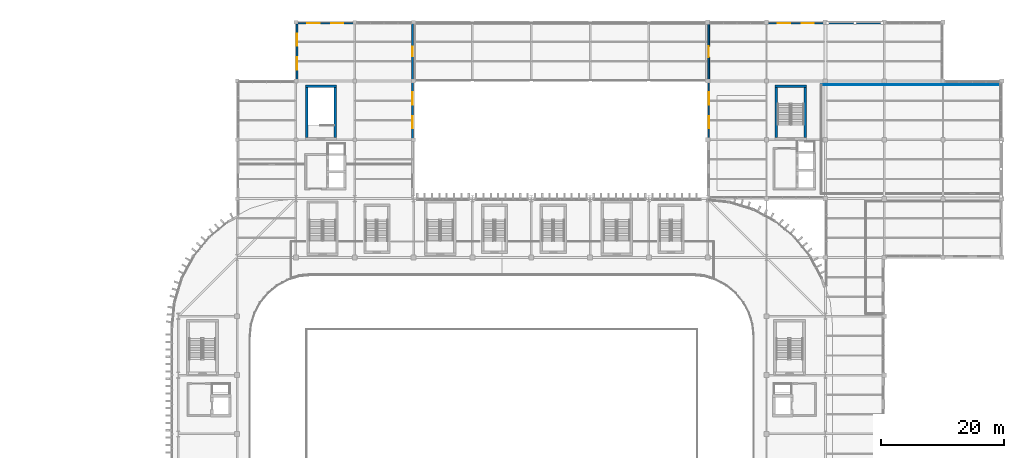
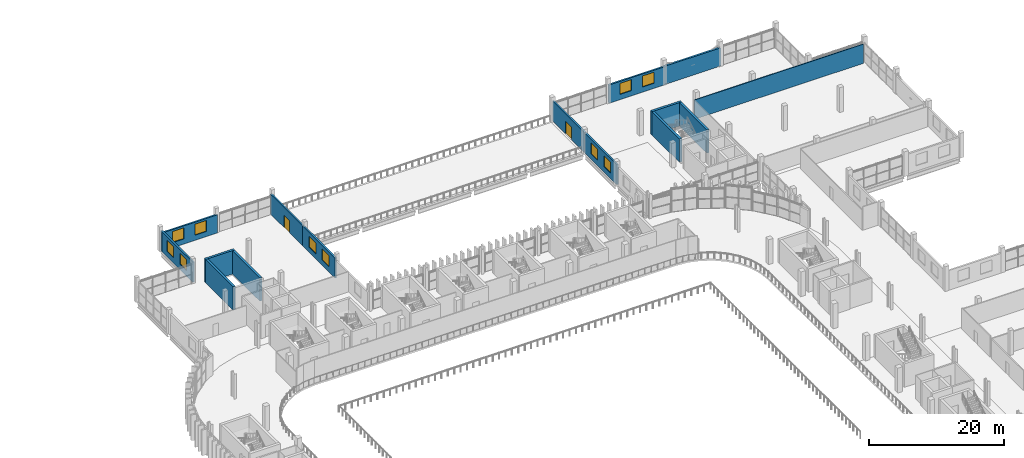
# One storey, part 53 of 75: 15 walls, 10 windows, 2 doors, 12 openings.
"""IFC4 building model written with IfcOpenShell, lengths in metres."""

import ifcopenshell
import ifcopenshell.guid

model = None  # the IFC model being written
_history = None  # IfcOwnerHistory: only IFC2X3 demands one
_inside = {}  # id of a spatial element -> (the spatial element, [elements in it])
_under = {}  # id of a project, library or spatial element -> (it, [spatial elements below it])
_declared = {}  # id of a project -> (the project, [libraries it declares])
_typed = {}  # id of a type object -> (the type object, [elements of that type])
_made_of = {}  # id of a material, layer set ... -> (it, [elements and type objects made of it])


def new_model(schema):
    """Start an empty IFC model of exactly this schema.

    Asked for "IFC4X3", IfcOpenShell would pick the latest addendum, in which some entities
    have other attributes; the version numbers below select the first issue.
    IFC2X3 requires an IfcOwnerHistory on every rooted entity: one is made here for all.
    """
    global model, _history
    if schema == "IFC4X3":
        model = ifcopenshell.file(schema_version=(4, 3, 0, 0))
    else:
        model = ifcopenshell.file(schema=schema)
    _inside.clear()
    _under.clear()
    _declared.clear()
    _typed.clear()
    _made_of.clear()
    _history = None
    if model.schema == "IFC2X3":
        org = make("IfcOrganization", Name="unknown")
        user = make(
            "IfcPersonAndOrganization",
            ThePerson=make("IfcPerson", FamilyName="unknown"),
            TheOrganization=org,
        )
        app = make(
            "IfcApplication",
            ApplicationDeveloper=org,
            Version="unknown",
            ApplicationFullName="unknown",
            ApplicationIdentifier="unknown",
        )
        _history = make(
            "IfcOwnerHistory",
            OwningUser=user,
            OwningApplication=app,
            ChangeAction="ADDED",
            CreationDate=0,
        )
    return model


def make(cls, **values):
    """One entity of the class cls with the attributes given. An attribute that is None is left unset."""
    return model.create_entity(
        cls, **{name: value for name, value in values.items() if value is not None}
    )


def rooted(cls, **values):
    """An entity with a GlobalId (a new one), such as an element, a storey or a relation."""
    return make(cls, GlobalId=ifcopenshell.guid.new(), OwnerHistory=_history, **values)


def si_unit(unit_type, name, prefix=None):
    """IfcSIUnit, for example si_unit("LENGTHUNIT", "METRE", prefix="MILLI")."""
    return make("IfcSIUnit", UnitType=unit_type, Prefix=prefix, Name=name)


def assignment(units):
    """IfcUnitAssignment: the units of a project."""
    return None if units is None else make("IfcUnitAssignment", Units=units)


def point(xyz):
    """IfcCartesianPoint."""
    return None if xyz is None else make("IfcCartesianPoint", Coordinates=xyz)


def direction(xyz):
    """IfcDirection."""
    return None if xyz is None else make("IfcDirection", DirectionRatios=xyz)


def frame(location, z_axis=None, x_axis=None):
    """IfcAxis2Placement3D, a coordinate frame: its origin and axes. An axis left out is left unset."""
    return make(
        "IfcAxis2Placement3D",
        Location=point(location),
        Axis=direction(z_axis),
        RefDirection=direction(x_axis),
    )


def frame_2d(location, x_axis=None):
    """IfcAxis2Placement2D, a coordinate frame in the plane: its origin and x axis."""
    return make(
        "IfcAxis2Placement2D", Location=point(location), RefDirection=direction(x_axis)
    )


def origin():
    """The frame at (0, 0, 0) with its axes left unset."""
    return frame((0.0, 0.0, 0.0))


def place(relative_to, where):
    """IfcLocalPlacement: puts the frame where relative to a parent placement (None: the world)."""
    return make(
        "IfcLocalPlacement", PlacementRelTo=relative_to, RelativePlacement=where
    )


def context(
    kind, dimensions, precision=None, world=None, true_north=None, identifier=None
):
    """IfcGeometricRepresentationContext, for example the 3D "Model" context."""
    return make(
        "IfcGeometricRepresentationContext",
        ContextIdentifier=identifier,
        ContextType=kind,
        CoordinateSpaceDimension=dimensions,
        Precision=precision,
        WorldCoordinateSystem=world,
        TrueNorth=true_north,
    )


def subcontext(parent, identifier, kind, view, scale=None):
    """IfcGeometricRepresentationSubContext, for example "Body" below "Model"."""
    return make(
        "IfcGeometricRepresentationSubContext",
        ContextIdentifier=identifier,
        ContextType=kind,
        ParentContext=parent,
        TargetScale=scale,
        TargetView=view,
    )


def project(units=None, contexts=None):
    """IfcProject with its units and contexts."""
    return rooted(
        "IfcProject",
        Name="project",
        RepresentationContexts=contexts,
        UnitsInContext=assignment(units),
    )


def spatial(cls, under=None, at=None, **own):
    """A site, building, storey or space (cls), placed at a placement, below another one or the project."""
    s = rooted(cls, ObjectPlacement=at, **own)
    if under is not None:
        _under.setdefault(under.id(), (under, []))[1].append(s)
    return s


def profile(cls, at=None, kind="AREA", **sizes):
    """A parametric profile (cls). Its sizes go by their IFC names, for example OverallWidth=200.0."""
    return make(cls, ProfileType=kind, Position=at, **sizes)


def rectangle(**sizes):
    """IfcRectangleProfileDef."""
    return profile("IfcRectangleProfileDef", **sizes)


def extrude(swept, where, along, depth):
    """IfcExtrudedAreaSolid: the profile swept, set in the frame where, extruded along a direction by depth."""
    return make(
        "IfcExtrudedAreaSolid",
        SweptArea=swept,
        Position=where,
        ExtrudedDirection=direction(along),
        Depth=depth,
    )


def shape(context_of_items, identifier, shape_type, items):
    """IfcShapeRepresentation: the items that make up one representation, for example the "Body"."""
    return make(
        "IfcShapeRepresentation",
        ContextOfItems=context_of_items,
        RepresentationIdentifier=identifier,
        RepresentationType=shape_type,
        Items=items,
    )


def material(Name=None, Category=None):
    """IfcMaterial."""
    return make("IfcMaterial", Name=Name, Category=Category)


def layer(
    of_material, thickness, ventilated=None, Name=None, Category=None, Priority=None
):
    """IfcMaterialLayer: one layer of a wall or slab, of a material (None: an air gap)."""
    return make(
        "IfcMaterialLayer",
        Material=of_material,
        LayerThickness=thickness,
        IsVentilated=ventilated,
        Name=Name,
        Category=Category,
        Priority=Priority,
    )


def layer_set(layers, Name=None):
    """IfcMaterialLayerSet."""
    return make("IfcMaterialLayerSet", MaterialLayers=layers, LayerSetName=Name)


def made_of(thing, what):
    """Note that an element or type object is made of a material, layer set ...; save() writes the relation."""
    if what is not None:
        _made_of.setdefault(what.id(), (what, []))[1].append(thing)
    return thing


def type_object(cls, material=None, **own):
    """A type object (cls), such as IfcWallType, which elements share."""
    return made_of(rooted(cls, **own), material)


def element(
    cls,
    number,
    at=None,
    inside=None,
    cuts=None,
    type_object=None,
    material=None,
    context=None,
    identifier="Body",
    shape_type=None,
    held_by="IfcProductDefinitionShape",
    body=None,
    shapes=None,
    **own,
):
    """One element of the class cls, such as IfcWall. Its Tag is "e" and its number.

    at: its placement. inside: the storey or other place that contains it. cuts: it is an
    opening in that element (IfcRelVoidsElement). A single representation is given by context,
    identifier, shape_type and body (its items); several are given by shapes. held_by: the class
    of the entity that holds the representations. save() writes the other relations.
    """
    e = rooted(cls, Tag="e%d" % number, ObjectPlacement=at, **own)
    if body is not None:
        shapes = [shape(context, identifier, shape_type, body)]
    if shapes is not None:
        e.Representation = make(held_by, Representations=shapes)
    if inside is not None:
        _inside.setdefault(inside.id(), (inside, []))[1].append(e)
    if cuts is not None:
        rooted(
            "IfcRelVoidsElement", RelatingBuildingElement=cuts, RelatedOpeningElement=e
        )
    if type_object is not None:
        _typed.setdefault(type_object.id(), (type_object, []))[1].append(e)
    return made_of(e, material)


def fill(opening, filler):
    """IfcRelFillsElement: the door or window that sits in an opening."""
    return rooted(
        "IfcRelFillsElement",
        RelatingOpeningElement=opening,
        RelatedBuildingElement=filler,
    )


def aggregate(whole, parts):
    """IfcRelAggregates: a whole, such as a stair, and the parts it consists of."""
    return rooted("IfcRelAggregates", RelatingObject=whole, RelatedObjects=parts)


def save(model, path):
    """Write the relations noted so far, then the file.

    IfcRelAggregates (storeys below a building ...), IfcRelContainedInSpatialStructure (elements
    in a storey), IfcRelDefinesByType, IfcRelAssociatesMaterial and IfcRelDeclares: one each for
    every whole, place, type object, material and project.
    """
    for whole, parts in _under.values():
        aggregate(whole, parts)
    for where, things in _inside.values():
        rooted(
            "IfcRelContainedInSpatialStructure",
            RelatedElements=things,
            RelatingStructure=where,
        )
    for kind, things in _typed.values():
        rooted("IfcRelDefinesByType", RelatedObjects=things, RelatingType=kind)
    for what, things in _made_of.values():
        rooted("IfcRelAssociatesMaterial", RelatedObjects=things, RelatingMaterial=what)
    for by, libraries in _declared.values():
        rooted("IfcRelDeclares", RelatingContext=by, RelatedDefinitions=libraries)
    model.write(path)


model = new_model("IFC4")

# Units and contexts
model_context = context("Model", 3, precision=1e-05, world=origin(), true_north=direction((0.0, 1.0)))
body_context = subcontext(model_context, "Body", "Model", "MODEL_VIEW")
ifc_project = project(units=[si_unit("LENGTHUNIT", "METRE"), si_unit("AREAUNIT", "SQUARE_METRE"), si_unit("VOLUMEUNIT", "CUBIC_METRE"), si_unit("PLANEANGLEUNIT", "RADIAN"), si_unit("MASSUNIT", "GRAM", prefix="KILO")], contexts=[model_context])

# Site, building, storey
site_placement = place(None, origin())
site = spatial("IfcSite", under=ifc_project, at=site_placement, CompositionType="ELEMENT")
building_placement = place(site_placement, origin())
building = spatial("IfcBuilding", under=site, at=building_placement, Name="Caelomonte Colonnade Arena", CompositionType="ELEMENT")
storey_placement = place(building_placement, frame((0.0, 0.0, 14.10009765625)))
storey = spatial("IfcBuildingStorey", under=building, at=storey_placement, Name="L03", CompositionType="ELEMENT", Elevation=14.10009765625)

# Wall, openings, windows
ifc_material_1 = material(Name="Precast concrete C40/50", Category="concrete")
ifc_layer_1 = layer(ifc_material_1, 0.2900390625)
ifc_layer_set_1 = layer_set([ifc_layer_1], Name="Precast concrete C40/50")
wall_type_1 = type_object("IfcWallType", Name="ENV-WL-EXT29", PredefinedType="SOLIDWALL", material=ifc_layer_set_1)
wall_1_placement = place(storey_placement, frame((163.199951171875, 143.820068359375, 0.0), z_axis=(0.0, 0.0, 1.0), x_axis=(-1.0, 0.0, 0.0)))
wall_1 = element("IfcWall", 1, at=wall_1_placement, inside=storey, type_object=wall_type_1, Name="L03 exterior wall EW-L03-0290", PredefinedType="SOLIDWALL", context=body_context, shape_type="SweptSolid", body=[
    extrude(rectangle(XDim=9.599853515625, YDim=0.2900390625, at=frame_2d((4.7998046875, 0.0))), origin(), (0.0, 0.0, 1.0), 3.312744140625),
])
opening_1_placement = place(wall_1_placement, frame((3.86669921875, 0.0, 0.949951171875), z_axis=(0.0, 0.0, 1.0), x_axis=(-1.0, 0.0, 0.0)))
opening_1 = element("IfcOpeningElement", 2, at=opening_1_placement, cuts=wall_1, Name="Opening WN-06", PredefinedType="OPENING", context=body_context, shape_type="SweptSolid", body=[
    extrude(rectangle(XDim=2.0, YDim=2.0, at=frame_2d((1.0, 1.0))), frame((0.0, 0.155029296875, 0.0), z_axis=(0.0, -1.0, 0.0), x_axis=(1.0, 0.0, 0.0)), (0.0, 0.0, 1.0), 0.31005859375),
])
opening_2_placement = place(wall_1_placement, frame((7.7333984375, 0.0, 0.949951171875), z_axis=(0.0, 0.0, 1.0), x_axis=(-1.0, 0.0, 0.0)))
opening_2 = element("IfcOpeningElement", 3, at=opening_2_placement, cuts=wall_1, Name="Opening WN-06", PredefinedType="OPENING", context=body_context, shape_type="SweptSolid", body=[
    extrude(rectangle(XDim=2.0, YDim=2.0, at=frame_2d((1.0, 1.0))), frame((0.0, 0.155029296875, 0.0), z_axis=(0.0, -1.0, 0.0), x_axis=(1.0, 0.0, 0.0)), (0.0, 0.0, 1.0), 0.31005859375),
])
ifc_material_2 = material(Name="Solar-control bronze low-E double glazing", Category="glass")
window_type = type_object("IfcWindowType", Name="ENV-WN-V4C", PartitioningType="DOUBLE_PANEL_VERTICAL", PredefinedType="WINDOW", material=ifc_material_2)
window_1_placement = place(opening_1_placement, origin())
window_1 = element("IfcWindow", 4, at=window_1_placement, inside=storey, type_object=window_type, Name="L03 facade window 230", OverallHeight=2.0, OverallWidth=2.0, PartitioningType="SINGLE_PANEL", PredefinedType="WINDOW", context=body_context, shape_type="SweptSolid", body=[
    extrude(rectangle(XDim=2.0, YDim=2.0, at=frame_2d((1.0, 1.0))), frame((0.0, 0.030029296875, 0.0), z_axis=(0.0, -1.0, 0.0), x_axis=(1.0, 0.0, 0.0)), (0.0, 0.0, 1.0), 0.06005859375),
])
fill(opening_1, window_1)
window_2_placement = place(opening_2_placement, origin())
window_2 = element("IfcWindow", 5, at=window_2_placement, inside=storey, type_object=window_type, Name="L03 facade window 231", OverallHeight=2.0, OverallWidth=2.0, PartitioningType="SINGLE_PANEL", PredefinedType="WINDOW", context=body_context, shape_type="SweptSolid", body=[
    extrude(rectangle(XDim=2.0, YDim=2.0, at=frame_2d((1.0, 1.0))), frame((0.0, 0.030029296875, 0.0), z_axis=(0.0, -1.0, 0.0), x_axis=(1.0, 0.0, 0.0)), (0.0, 0.0, 1.0), 0.06005859375),
])
fill(opening_2, window_2)

# Wall, opening, door
wall_2_placement = place(storey_placement, frame((144.179931640625, 144.0, 0.0), z_axis=(0.0, 0.0, 1.0), x_axis=(0.0, -1.0, 0.0)))
wall_2 = element("IfcWall", 6, at=wall_2_placement, inside=storey, type_object=wall_type_1, Name="L03 exterior wall EW-L03-0291", PredefinedType="SOLIDWALL", context=body_context, shape_type="SweptSolid", body=[
    extrude(rectangle(XDim=9.60009765625, YDim=0.2900390625, at=frame_2d((4.800048828125, 0.0))), origin(), (0.0, 0.0, 1.0), 3.637939453125),
])
opening_3_placement = place(wall_2_placement, frame((5.699951171875, 0.0, 0.0), z_axis=(0.0, 0.0, 1.0), x_axis=(-1.0, 0.0, 0.0)))
opening_3 = element("IfcOpeningElement", 7, at=opening_3_placement, cuts=wall_2, Name="Opening DT-L03-07", PredefinedType="OPENING", context=body_context, shape_type="SweptSolid", body=[
    extrude(rectangle(XDim=1.800048828125, YDim=2.300048828125, at=frame_2d((0.89990234375, 1.14990234375))), frame((0.0, 0.155029296875, 0.0), z_axis=(0.0, -1.0, 0.0), x_axis=(1.0, 0.0, 0.0)), (0.0, 0.0, 1.0), 0.31005859375),
])
ifc_material_3 = material(Name="Bronze anodised aluminium glazed terrace door", Category="aluminium")
door_type_1 = type_object("IfcDoorType", Name="ENV-DR-TR1", OperationType="DOUBLE_DOOR_SINGLE_SWING", PredefinedType="DOOR", material=ifc_material_3)
door_1_placement = place(opening_3_placement, origin())
door_1 = element("IfcDoor", 8, at=door_1_placement, inside=storey, type_object=door_type_1, Name="L03 Peristyle North Courtyard Terrace door DT-L03-07", OperationType="DOUBLE_DOOR_SINGLE_SWING", OverallHeight=2.300048828125, OverallWidth=1.800048828125, PredefinedType="DOOR", context=body_context, shape_type="SweptSolid", body=[
    extrude(rectangle(XDim=1.800048828125, YDim=2.300048828125, at=frame_2d((0.89990234375, 1.14990234375))), frame((0.0, 0.02490234375, 0.0), z_axis=(0.0, -1.0, 0.0), x_axis=(1.0, 0.0, 0.0)), (0.0, 0.0, 1.0), 0.050048828125),
])
fill(opening_3, door_1)

# Wall, openings, windows
wall_3_placement = place(storey_placement, frame((144.179931640625, 134.39990234375, 0.0), z_axis=(0.0, 0.0, 1.0), x_axis=(0.0, -1.0, 0.0)))
wall_3 = element("IfcWall", 9, at=wall_3_placement, inside=storey, type_object=wall_type_1, Name="L03 exterior wall EW-L03-0292", PredefinedType="SOLIDWALL", context=body_context, shape_type="SweptSolid", body=[
    extrude(rectangle(XDim=9.599853515625, YDim=0.2900390625, at=frame_2d((4.7998046875, 0.0))), origin(), (0.0, 0.0, 1.0), 3.637939453125),
])
opening_4_placement = place(wall_3_placement, frame((3.86669921875, 0.0, 0.949951171875), z_axis=(0.0, 0.0, 1.0), x_axis=(-1.0, 0.0, 0.0)))
opening_4 = element("IfcOpeningElement", 10, at=opening_4_placement, cuts=wall_3, Name="Opening WN-06", PredefinedType="OPENING", context=body_context, shape_type="SweptSolid", body=[
    extrude(rectangle(XDim=2.0, YDim=2.0, at=frame_2d((1.0, 1.0))), frame((0.0, 0.155029296875, 0.0), z_axis=(0.0, -1.0, 0.0), x_axis=(1.0, 0.0, 0.0)), (0.0, 0.0, 1.0), 0.31005859375),
])
opening_5_placement = place(wall_3_placement, frame((7.7333984375, 0.0, 0.949951171875), z_axis=(0.0, 0.0, 1.0), x_axis=(-1.0, 0.0, 0.0)))
opening_5 = element("IfcOpeningElement", 11, at=opening_5_placement, cuts=wall_3, Name="Opening WN-06", PredefinedType="OPENING", context=body_context, shape_type="SweptSolid", body=[
    extrude(rectangle(XDim=2.0, YDim=2.0, at=frame_2d((1.0, 1.0))), frame((0.0, 0.155029296875, 0.0), z_axis=(0.0, -1.0, 0.0), x_axis=(1.0, 0.0, 0.0)), (0.0, 0.0, 1.0), 0.31005859375),
])
window_3_placement = place(opening_4_placement, origin())
window_3 = element("IfcWindow", 12, at=window_3_placement, inside=storey, type_object=window_type, Name="L03 facade window 232", OverallHeight=2.0, OverallWidth=2.0, PartitioningType="SINGLE_PANEL", PredefinedType="WINDOW", context=body_context, shape_type="SweptSolid", body=[
    extrude(rectangle(XDim=2.0, YDim=2.0, at=frame_2d((1.0, 1.0))), frame((0.0, 0.030029296875, 0.0), z_axis=(0.0, -1.0, 0.0), x_axis=(1.0, 0.0, 0.0)), (0.0, 0.0, 1.0), 0.06005859375),
])
fill(opening_4, window_3)
window_4_placement = place(opening_5_placement, origin())
window_4 = element("IfcWindow", 13, at=window_4_placement, inside=storey, type_object=window_type, Name="L03 facade window 233", OverallHeight=2.0, OverallWidth=2.0, PartitioningType="SINGLE_PANEL", PredefinedType="WINDOW", context=body_context, shape_type="SweptSolid", body=[
    extrude(rectangle(XDim=2.0, YDim=2.0, at=frame_2d((1.0, 1.0))), frame((0.0, 0.030029296875, 0.0), z_axis=(0.0, -1.0, 0.0), x_axis=(1.0, 0.0, 0.0)), (0.0, 0.0, 1.0), 0.06005859375),
])
fill(opening_5, window_4)

wall_4_placement = place(storey_placement, frame((95.820068359375, 124.800048828125, 0.0), z_axis=(0.0, 0.0, 1.0), x_axis=(0.0, 1.0, 0.0)))
wall_4 = element("IfcWall", 14, at=wall_4_placement, inside=storey, type_object=wall_type_1, Name="L03 exterior wall EW-L03-0296", PredefinedType="SOLIDWALL", context=body_context, shape_type="SweptSolid", body=[
    extrude(rectangle(XDim=9.599853515625, YDim=0.2900390625, at=frame_2d((4.7998046875, 0.0))), origin(), (0.0, 0.0, 1.0), 3.637939453125),
])
opening_6_placement = place(wall_4_placement, frame((3.86669921875, 0.0, 0.949951171875), z_axis=(0.0, 0.0, 1.0), x_axis=(-1.0, 0.0, 0.0)))
opening_6 = element("IfcOpeningElement", 15, at=opening_6_placement, cuts=wall_4, Name="Opening WN-06", PredefinedType="OPENING", context=body_context, shape_type="SweptSolid", body=[
    extrude(rectangle(XDim=2.0, YDim=2.0, at=frame_2d((1.0, 1.0))), frame((0.0, 0.155029296875, 0.0), z_axis=(0.0, -1.0, 0.0), x_axis=(1.0, 0.0, 0.0)), (0.0, 0.0, 1.0), 0.31005859375),
])
opening_7_placement = place(wall_4_placement, frame((7.7333984375, 0.0, 0.949951171875), z_axis=(0.0, 0.0, 1.0), x_axis=(-1.0, 0.0, 0.0)))
opening_7 = element("IfcOpeningElement", 16, at=opening_7_placement, cuts=wall_4, Name="Opening WN-06", PredefinedType="OPENING", context=body_context, shape_type="SweptSolid", body=[
    extrude(rectangle(XDim=2.0, YDim=2.0, at=frame_2d((1.0, 1.0))), frame((0.0, 0.155029296875, 0.0), z_axis=(0.0, -1.0, 0.0), x_axis=(1.0, 0.0, 0.0)), (0.0, 0.0, 1.0), 0.31005859375),
])
window_5_placement = place(opening_6_placement, origin())
window_5 = element("IfcWindow", 17, at=window_5_placement, inside=storey, type_object=window_type, Name="L03 facade window 237", OverallHeight=2.0, OverallWidth=2.0, PartitioningType="SINGLE_PANEL", PredefinedType="WINDOW", context=body_context, shape_type="SweptSolid", body=[
    extrude(rectangle(XDim=2.0, YDim=2.0, at=frame_2d((1.0, 1.0))), frame((0.0, 0.030029296875, 0.0), z_axis=(0.0, -1.0, 0.0), x_axis=(1.0, 0.0, 0.0)), (0.0, 0.0, 1.0), 0.06005859375),
])
fill(opening_6, window_5)
window_6_placement = place(opening_7_placement, origin())
window_6 = element("IfcWindow", 18, at=window_6_placement, inside=storey, type_object=window_type, Name="L03 facade window 238", OverallHeight=2.0, OverallWidth=2.0, PartitioningType="SINGLE_PANEL", PredefinedType="WINDOW", context=body_context, shape_type="SweptSolid", body=[
    extrude(rectangle(XDim=2.0, YDim=2.0, at=frame_2d((1.0, 1.0))), frame((0.0, 0.030029296875, 0.0), z_axis=(0.0, -1.0, 0.0), x_axis=(1.0, 0.0, 0.0)), (0.0, 0.0, 1.0), 0.06005859375),
])
fill(opening_7, window_6)

# Wall, opening, door
wall_5_placement = place(storey_placement, frame((95.820068359375, 134.39990234375, 0.0), z_axis=(0.0, 0.0, 1.0), x_axis=(0.0, 1.0, 0.0)))
wall_5 = element("IfcWall", 19, at=wall_5_placement, inside=storey, type_object=wall_type_1, Name="L03 exterior wall EW-L03-0297", PredefinedType="SOLIDWALL", context=body_context, shape_type="SweptSolid", body=[
    extrude(rectangle(XDim=9.60009765625, YDim=0.2900390625, at=frame_2d((4.800048828125, 0.0))), origin(), (0.0, 0.0, 1.0), 3.637939453125),
])
opening_8_placement = place(wall_5_placement, frame((5.60009765625, 0.0, 0.0), z_axis=(0.0, 0.0, 1.0), x_axis=(-1.0, 0.0, 0.0)))
opening_8 = element("IfcOpeningElement", 20, at=opening_8_placement, cuts=wall_5, Name="Opening DT-L03-08", PredefinedType="OPENING", context=body_context, shape_type="SweptSolid", body=[
    extrude(rectangle(XDim=1.60009765625, YDim=2.25, at=frame_2d((0.800048828125, 1.125))), frame((0.0, 0.155029296875, 0.0), z_axis=(0.0, -1.0, 0.0), x_axis=(1.0, 0.0, 0.0)), (0.0, 0.0, 1.0), 0.31005859375),
])
door_type_2 = type_object("IfcDoorType", Name="ENV-DR-TR2", OperationType="DOUBLE_DOOR_SINGLE_SWING", PredefinedType="DOOR", material=ifc_material_3)
door_2_placement = place(opening_8_placement, origin())
door_2 = element("IfcDoor", 21, at=door_2_placement, inside=storey, type_object=door_type_2, Name="L03 Peristyle North Courtyard Terrace door DT-L03-08", OperationType="DOUBLE_DOOR_SINGLE_SWING", OverallHeight=2.25, OverallWidth=1.60009765625, PredefinedType="DOOR", context=body_context, shape_type="SweptSolid", body=[
    extrude(rectangle(XDim=1.60009765625, YDim=2.25, at=frame_2d((0.800048828125, 1.125))), frame((0.0, 0.02490234375, 0.0), z_axis=(0.0, -1.0, 0.0), x_axis=(1.0, 0.0, 0.0)), (0.0, 0.0, 1.0), 0.050048828125),
])
fill(opening_8, door_2)

# Wall, openings, windows
wall_6_placement = place(storey_placement, frame((86.39990234375, 143.820068359375, 0.0), z_axis=(0.0, 0.0, 1.0), x_axis=(-1.0, 0.0, 0.0)))
wall_6 = element("IfcWall", 22, at=wall_6_placement, inside=storey, type_object=wall_type_1, Name="L03 exterior wall EW-L03-0298", PredefinedType="SOLIDWALL", context=body_context, shape_type="SweptSolid", body=[
    extrude(rectangle(XDim=9.599853515625, YDim=0.2900390625, at=frame_2d((4.7998046875, 0.0))), origin(), (0.0, 0.0, 1.0), 3.312744140625),
])
opening_9_placement = place(wall_6_placement, frame((3.86669921875, 0.0, 0.949951171875), z_axis=(0.0, 0.0, 1.0), x_axis=(-1.0, 0.0, 0.0)))
opening_9 = element("IfcOpeningElement", 23, at=opening_9_placement, cuts=wall_6, Name="Opening WN-06", PredefinedType="OPENING", context=body_context, shape_type="SweptSolid", body=[
    extrude(rectangle(XDim=2.0, YDim=2.0, at=frame_2d((1.0, 1.0))), frame((0.0, 0.155029296875, 0.0), z_axis=(0.0, -1.0, 0.0), x_axis=(1.0, 0.0, 0.0)), (0.0, 0.0, 1.0), 0.31005859375),
])
opening_10_placement = place(wall_6_placement, frame((7.7333984375, 0.0, 0.949951171875), z_axis=(0.0, 0.0, 1.0), x_axis=(-1.0, 0.0, 0.0)))
opening_10 = element("IfcOpeningElement", 24, at=opening_10_placement, cuts=wall_6, Name="Opening WN-06", PredefinedType="OPENING", context=body_context, shape_type="SweptSolid", body=[
    extrude(rectangle(XDim=2.0, YDim=2.0, at=frame_2d((1.0, 1.0))), frame((0.0, 0.155029296875, 0.0), z_axis=(0.0, -1.0, 0.0), x_axis=(1.0, 0.0, 0.0)), (0.0, 0.0, 1.0), 0.31005859375),
])
window_7_placement = place(opening_9_placement, origin())
window_7 = element("IfcWindow", 25, at=window_7_placement, inside=storey, type_object=window_type, Name="L03 facade window 239", OverallHeight=2.0, OverallWidth=2.0, PartitioningType="SINGLE_PANEL", PredefinedType="WINDOW", context=body_context, shape_type="SweptSolid", body=[
    extrude(rectangle(XDim=2.0, YDim=2.0, at=frame_2d((1.0, 1.0))), frame((0.0, 0.030029296875, 0.0), z_axis=(0.0, -1.0, 0.0), x_axis=(1.0, 0.0, 0.0)), (0.0, 0.0, 1.0), 0.06005859375),
])
fill(opening_9, window_7)
window_8_placement = place(opening_10_placement, origin())
window_8 = element("IfcWindow", 26, at=window_8_placement, inside=storey, type_object=window_type, Name="L03 facade window 240", OverallHeight=2.0, OverallWidth=2.0, PartitioningType="SINGLE_PANEL", PredefinedType="WINDOW", context=body_context, shape_type="SweptSolid", body=[
    extrude(rectangle(XDim=2.0, YDim=2.0, at=frame_2d((1.0, 1.0))), frame((0.0, 0.030029296875, 0.0), z_axis=(0.0, -1.0, 0.0), x_axis=(1.0, 0.0, 0.0)), (0.0, 0.0, 1.0), 0.06005859375),
])
fill(opening_10, window_8)

wall_7_placement = place(storey_placement, frame((76.97998046875, 144.0, 0.0), z_axis=(0.0, 0.0, 1.0), x_axis=(0.0, -1.0, 0.0)))
wall_7 = element("IfcWall", 27, at=wall_7_placement, inside=storey, type_object=wall_type_1, Name="L03 exterior wall EW-L03-0299", PredefinedType="SOLIDWALL", context=body_context, shape_type="SweptSolid", body=[
    extrude(rectangle(XDim=9.60009765625, YDim=0.2900390625, at=frame_2d((4.800048828125, 0.0))), origin(), (0.0, 0.0, 1.0), 3.637939453125),
])
opening_11_placement = place(wall_7_placement, frame((3.86669921875, 0.0, 0.949951171875), z_axis=(0.0, 0.0, 1.0), x_axis=(-1.0, 0.0, 0.0)))
opening_11 = element("IfcOpeningElement", 28, at=opening_11_placement, cuts=wall_7, Name="Opening WN-06", PredefinedType="OPENING", context=body_context, shape_type="SweptSolid", body=[
    extrude(rectangle(XDim=2.0, YDim=2.0, at=frame_2d((1.0, 1.0))), frame((0.0, 0.155029296875, 0.0), z_axis=(0.0, -1.0, 0.0), x_axis=(1.0, 0.0, 0.0)), (0.0, 0.0, 1.0), 0.31005859375),
])
opening_12_placement = place(wall_7_placement, frame((7.7333984375, 0.0, 0.949951171875), z_axis=(0.0, 0.0, 1.0), x_axis=(-1.0, 0.0, 0.0)))
opening_12 = element("IfcOpeningElement", 29, at=opening_12_placement, cuts=wall_7, Name="Opening WN-06", PredefinedType="OPENING", context=body_context, shape_type="SweptSolid", body=[
    extrude(rectangle(XDim=2.0, YDim=2.0, at=frame_2d((1.0, 1.0))), frame((0.0, 0.155029296875, 0.0), z_axis=(0.0, -1.0, 0.0), x_axis=(1.0, 0.0, 0.0)), (0.0, 0.0, 1.0), 0.31005859375),
])
window_9_placement = place(opening_11_placement, origin())
window_9 = element("IfcWindow", 30, at=window_9_placement, inside=storey, type_object=window_type, Name="L03 facade window 241", OverallHeight=2.0, OverallWidth=2.0, PartitioningType="SINGLE_PANEL", PredefinedType="WINDOW", context=body_context, shape_type="SweptSolid", body=[
    extrude(rectangle(XDim=2.0, YDim=2.0, at=frame_2d((1.0, 1.0))), frame((0.0, 0.030029296875, 0.0), z_axis=(0.0, -1.0, 0.0), x_axis=(1.0, 0.0, 0.0)), (0.0, 0.0, 1.0), 0.06005859375),
])
fill(opening_11, window_9)
window_10_placement = place(opening_12_placement, origin())
window_10 = element("IfcWindow", 31, at=window_10_placement, inside=storey, type_object=window_type, Name="L03 facade window 242", OverallHeight=2.0, OverallWidth=2.0, PartitioningType="SINGLE_PANEL", PredefinedType="WINDOW", context=body_context, shape_type="SweptSolid", body=[
    extrude(rectangle(XDim=2.0, YDim=2.0, at=frame_2d((1.0, 1.0))), frame((0.0, 0.030029296875, 0.0), z_axis=(0.0, -1.0, 0.0), x_axis=(1.0, 0.0, 0.0)), (0.0, 0.0, 1.0), 0.06005859375),
])
fill(opening_12, window_10)

# Walls
ifc_layer_2 = layer(ifc_material_1, 0.330078125)
ifc_layer_set_2 = layer_set([ifc_layer_2], Name="Precast concrete C40/50")
wall_type_2 = type_object("IfcWallType", Name="ENV-WL-EXT33", PredefinedType="SOLIDWALL", material=ifc_layer_set_2)
wall_8_placement = place(storey_placement, frame((172.800048828125, 143.89990234375, 0.0), z_axis=(0.0, 0.0, 1.0), x_axis=(-1.0, 0.0, 0.0)))
element("IfcWall", 32, at=wall_8_placement, inside=storey, type_object=wall_type_2, Name="L03 exterior wall EW-L03-0289", PredefinedType="SOLIDWALL", context=body_context, shape_type="SweptSolid", body=[
    extrude(rectangle(XDim=9.60009765625, YDim=0.330078125, at=frame_2d((4.800048828125, 0.0))), origin(), (0.0, 0.0, 1.0), 3.312744140625),
])
ifc_material_4 = material(Name="Suite demising stud partition")
ifc_layer_3 = layer(ifc_material_4, 0.139892578125)
ifc_layer_set_3 = layer_set([ifc_layer_3], Name="Suite demising stud partition")
wall_type_3 = type_object("IfcWallType", Name="INT-WL-PT14", PredefinedType="PARTITIONING", material=ifc_layer_set_3)
wall_9_placement = place(storey_placement, frame((162.5, 133.800048828125, 0.0), z_axis=(0.0, 0.0, 1.0), x_axis=(1.0, 0.0, 0.0)))
element("IfcWall", 33, at=wall_9_placement, inside=storey, type_object=wall_type_3, Name="L03 Courtyard Party Suite partition 231", PredefinedType="PARTITIONING", context=body_context, shape_type="SweptSolid", body=[
    extrude(rectangle(XDim=29.0, YDim=0.139892578125, at=frame_2d((14.5, 0.0))), origin(), (0.0, 0.0, 1.0), 3.489990234375),
])
ifc_material_5 = material(Name="Concrete C50/60", Category="concrete")
ifc_layer_4 = layer(ifc_material_5, 0.39990234375)
ifc_layer_set_4 = layer_set([ifc_layer_4], Name="Concrete C50/60")
wall_type_4 = type_object("IfcWallType", Name="INT-WL-SH40", PredefinedType="SHEAR", material=ifc_layer_set_4)
wall_10_placement = place(storey_placement, frame((160.10009765625, 133.550048828125, 0.0), z_axis=(0.0, 0.0, 1.0), x_axis=(-1.0, 0.0, 0.0)))
element("IfcWall", 34, at=wall_10_placement, inside=storey, type_object=wall_type_4, Name="CW-C6-ST L03 north enclosure wall", PredefinedType="SHEAR", context=body_context, shape_type="SweptSolid", body=[
    extrude(rectangle(XDim=5.10009765625, YDim=0.39990234375, at=frame_2d((2.550048828125, 0.0))), origin(), (0.0, 0.0, 1.0), 4.239990234375),
])
for number, where, z_axis, x_axis, name in (
    (35, (155.199951171875, 133.35009765625, 0.0), (0.0, 0.0, 1.0), (0.0, -1.0, 0.0), "CW-C6-ST L03 west enclosure wall"),
    (36, (159.89990234375, 125.199951171875, 0.0), (0.0, 0.0, 1.0), (0.0, 1.0, 0.0), "CW-C6-ST L03 east enclosure wall"),
):
    element("IfcWall", number, at=place(storey_placement, frame(where, z_axis=z_axis, x_axis=x_axis)), inside=storey, type_object=wall_type_4, Name=name, PredefinedType="SHEAR", context=body_context, shape_type="SweptSolid", body=[
        extrude(rectangle(XDim=8.150146484375, YDim=0.39990234375, at=frame_2d((4.0751953125, 0.0))), origin(), (0.0, 0.0, 1.0), 4.239990234375),
    ])
wall_11_placement = place(storey_placement, frame((83.39990234375, 133.550048828125, 0.0), z_axis=(0.0, 0.0, 1.0), x_axis=(-1.0, 0.0, 0.0)))
element("IfcWall", 37, at=wall_11_placement, inside=storey, type_object=wall_type_4, Name="CW-C7-ST L03 north enclosure wall", PredefinedType="SHEAR", context=body_context, shape_type="SweptSolid", body=[
    extrude(rectangle(XDim=5.0, YDim=0.39990234375, at=frame_2d((2.5, 0.0))), origin(), (0.0, 0.0, 1.0), 4.239990234375),
])
for number, where, z_axis, x_axis, name in (
    (38, (78.60009765625, 133.35009765625, 0.0), (0.0, 0.0, 1.0), (0.0, -1.0, 0.0), "CW-C7-ST L03 west enclosure wall"),
    (39, (83.199951171875, 125.199951171875, 0.0), (0.0, 0.0, 1.0), (0.0, 1.0, 0.0), "CW-C7-ST L03 east enclosure wall"),
):
    element("IfcWall", number, at=place(storey_placement, frame(where, z_axis=z_axis, x_axis=x_axis)), inside=storey, type_object=wall_type_4, Name=name, PredefinedType="SHEAR", context=body_context, shape_type="SweptSolid", body=[
        extrude(rectangle(XDim=8.150146484375, YDim=0.39990234375, at=frame_2d((4.0751953125, 0.0))), origin(), (0.0, 0.0, 1.0), 4.239990234375),
    ])

save(model, "model.ifc")
